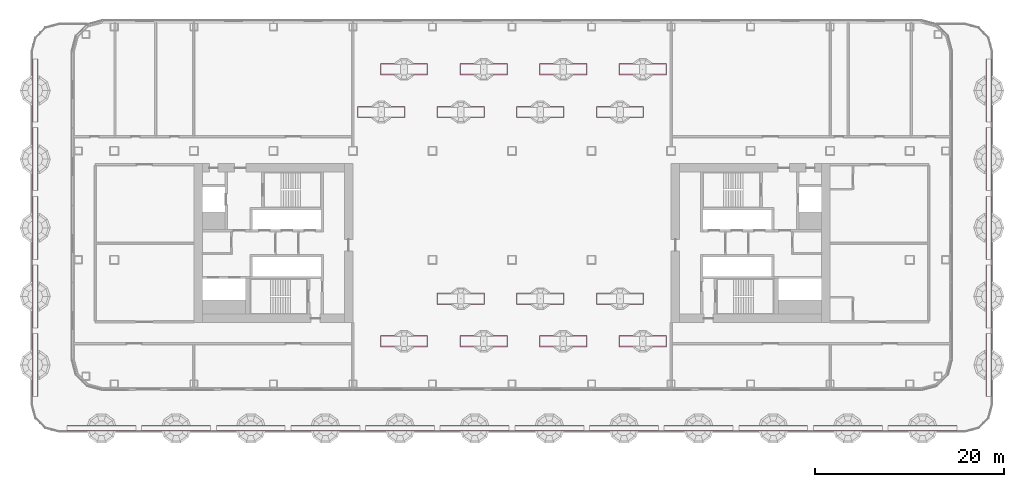
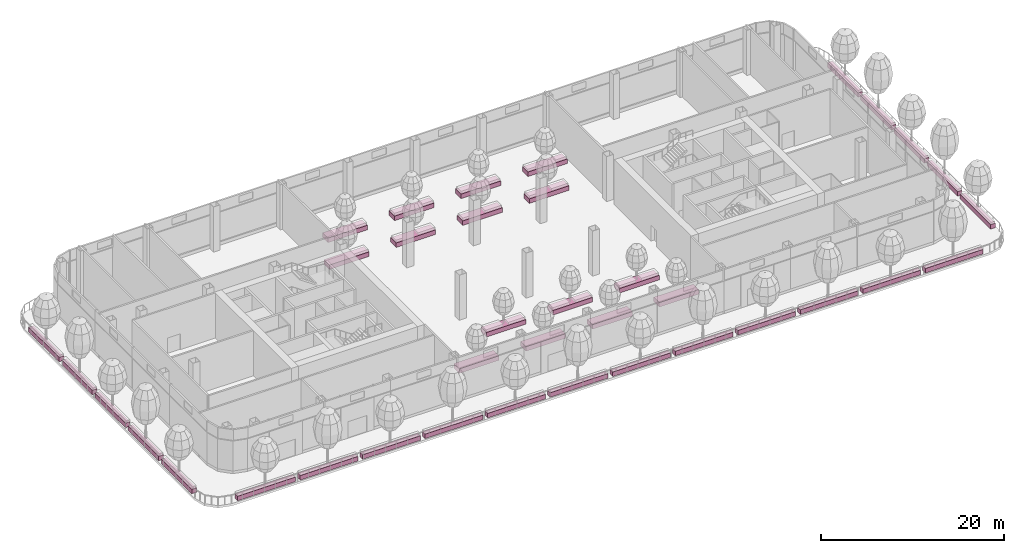
# One storey, part 36 of 44: 37 furniture elements.
"""IFC4 building model written with IfcOpenShell, lengths in metres."""

from ifc_helpers import new_model, si_unit, direction, frame, origin, origin_2d, place, context, subcontext, project, spatial, rectangle, extrude, material, type_object, element, save


model = new_model("IFC4")

# Units and contexts
model_context = context("Model", 3, precision=1e-05, world=origin(), true_north=direction((0.0, 1.0)))
body_context = subcontext(model_context, "Body", "Model", "MODEL_VIEW")
ifc_project = project(units=[si_unit("LENGTHUNIT", "METRE"), si_unit("AREAUNIT", "SQUARE_METRE"), si_unit("VOLUMEUNIT", "CUBIC_METRE"), si_unit("PLANEANGLEUNIT", "RADIAN"), si_unit("MASSUNIT", "GRAM", prefix="KILO")], contexts=[model_context])

# Site, building, storey
site_placement = place(None, origin())
site = spatial("IfcSite", under=ifc_project, at=site_placement, CompositionType="ELEMENT")
building_placement = place(site_placement, origin())
building = spatial("IfcBuilding", under=site, at=building_placement, Name="Hakoniwa Tower and Hamabe Station Hall", CompositionType="ELEMENT")
storey_placement = place(building_placement, frame((0.0, 0.0, 69.0)))
storey = spatial("IfcBuildingStorey", under=building, at=storey_placement, Name="L19", CompositionType="ELEMENT", Elevation=69.0)

# Furniture
ifc_material_1 = material(Name="Aluminium 6063-T5 black anodised trough with lightweight soil", Category="aluminium")
furniture_type_1 = type_object("IfcFurnitureType", Name="Planter 1200x600", AssemblyPlace="SITE", PredefinedType="USERDEFINED", material=ifc_material_1)
for number, where, z_axis, x_axis, name in (
    (1, (-13.800048828125, 13.85009765625, 0.0), (0.0, 0.0, 1.0), (1.0, 0.0, 0.0), "Planter 1200x600"),
    (2, (-5.39990234375, 13.85009765625, 0.0), (0.0, 0.0, 1.0), (1.0, 0.0, 0.0), "Planter 1200x600"),
    (3, (3.0, 13.85009765625, 0.0), (0.0, 0.0, 1.0), (1.0, 0.0, 0.0), "Planter 1200x600"),
    (4, (11.39990234375, 13.85009765625, 0.0), (0.0, 0.0, 1.0), (1.0, 0.0, 0.0), "Planter 1200x600"),
    (5, (-11.39990234375, 18.35009765625, 0.0), (0.0, 0.0, 1.0), (1.0, 0.0, 0.0), "Planter 1200x600"),
    (6, (-3.0, 18.35009765625, 0.0), (0.0, 0.0, 1.0), (1.0, 0.0, 0.0), "Planter 1200x600"),
    (7, (5.39990234375, 18.35009765625, 0.0), (0.0, 0.0, 1.0), (1.0, 0.0, 0.0), "Planter 1200x600"),
    (8, (13.800048828125, 18.35009765625, 0.0), (0.0, 0.0, 1.0), (1.0, 0.0, 0.0), "Planter 1200x600"),
    (9, (-5.39990234375, -5.85009765625, 0.0), (0.0, 0.0, 1.0), (1.0, 0.0, 0.0), "Planter 1200x600"),
    (10, (3.0, -5.85009765625, 0.0), (0.0, 0.0, 1.0), (1.0, 0.0, 0.0), "Planter 1200x600"),
    (11, (11.39990234375, -5.85009765625, 0.0), (0.0, 0.0, 1.0), (1.0, 0.0, 0.0), "Planter 1200x600"),
    (12, (-11.39990234375, -10.35009765625, 0.0), (0.0, 0.0, 1.0), (1.0, 0.0, 0.0), "Planter 1200x600"),
    (13, (-3.0, -10.35009765625, 0.0), (0.0, 0.0, 1.0), (1.0, 0.0, 0.0), "Planter 1200x600"),
    (14, (5.39990234375, -10.35009765625, 0.0), (0.0, 0.0, 1.0), (1.0, 0.0, 0.0), "Planter 1200x600"),
    (15, (13.800048828125, -10.35009765625, 0.0), (0.0, 0.0, 1.0), (1.0, 0.0, 0.0), "Planter 1200x600"),
):
    element("IfcFurniture", number, at=place(storey_placement, frame(where, z_axis=z_axis, x_axis=x_axis)), inside=storey, type_object=furniture_type_1, Name=name, ObjectType="PLANTER", PredefinedType="USERDEFINED", context=body_context, shape_type="SweptSolid", body=[
        extrude(rectangle(XDim=5.0, YDim=1.199951171875, at=origin_2d()), origin(), (0.0, 0.0, 1.0), 0.60009765625),
    ])
ifc_material_2 = material(Name="Aluminium 6063-T5 black anodised trough with lightweight soil", Category="aluminium")
furniture_type_2 = type_object("IfcFurnitureType", Name="Planter 600x600", AssemblyPlace="SITE", PredefinedType="USERDEFINED", material=ifc_material_2)
for number, where, z_axis, x_axis, name in (
    (16, (-50.35107421875, 16.114501953125, 0.0), (0.0, 0.0, 1.0), (-4.07849e-07, -1.0, 0.0), "Planter 600x600"),
    (17, (-50.35107421875, 8.869873046875, 0.0), (0.0, 0.0, 1.0), (-4.07849e-07, -1.0, 0.0), "Planter 600x600"),
    (18, (-50.35107421875, 1.625, 0.0), (0.0, 0.0, 1.0), (-4.07849e-07, -1.0, 0.0), "Planter 600x600"),
    (19, (-50.35107421875, -5.61962890625, 0.0), (0.0, 0.0, 1.0), (-4.07849e-07, -1.0, 0.0), "Planter 600x600"),
    (20, (-50.35107421875, -12.864501953125, 0.0), (0.0, 0.0, 1.0), (-4.07849e-07, -1.0, 0.0), "Planter 600x600"),
):
    element("IfcFurniture", number, at=place(storey_placement, frame(where, z_axis=z_axis, x_axis=x_axis)), inside=storey, type_object=furniture_type_2, Name=name, ObjectType="PLANTER", PredefinedType="USERDEFINED", context=body_context, shape_type="SweptSolid", body=[
        extrude(rectangle(XDim=6.644775390625, YDim=0.60009765625, at=origin_2d()), origin(), (0.0, 0.0, 1.0), 0.60009765625),
    ])
for number, where, z_axis, x_axis, name in (
    (21, (-43.34619140625, -19.551025390625, 0.0), (0.0, 0.0, 1.0), (1.0, 0.0, 0.0), "Planter 600x600"),
    (22, (-35.465087890625, -19.551025390625, 0.0), (0.0, 0.0, 1.0), (1.0, 0.0, 0.0), "Planter 600x600"),
    (23, (-27.583984375, -19.551025390625, 0.0), (0.0, 0.0, 1.0), (1.0, 0.0, 0.0), "Planter 600x600"),
    (24, (-19.702880859375, -19.551025390625, 0.0), (0.0, 0.0, 1.0), (1.0, 0.0, 0.0), "Planter 600x600"),
    (25, (-11.82177734375, -19.551025390625, 0.0), (0.0, 0.0, 1.0), (1.0, 0.0, 0.0), "Planter 600x600"),
    (26, (-3.940673828125, -19.551025390625, 0.0), (0.0, 0.0, 1.0), (1.0, 0.0, 0.0), "Planter 600x600"),
    (27, (3.940673828125, -19.551025390625, 0.0), (0.0, 0.0, 1.0), (1.0, 0.0, 0.0), "Planter 600x600"),
    (28, (11.82177734375, -19.551025390625, 0.0), (0.0, 0.0, 1.0), (1.0, 0.0, 0.0), "Planter 600x600"),
    (29, (19.702880859375, -19.551025390625, 0.0), (0.0, 0.0, 1.0), (1.0, 0.0, 0.0), "Planter 600x600"),
    (30, (27.583984375, -19.551025390625, 0.0), (0.0, 0.0, 1.0), (1.0, 0.0, 0.0), "Planter 600x600"),
    (31, (35.465087890625, -19.551025390625, 0.0), (0.0, 0.0, 1.0), (1.0, 0.0, 0.0), "Planter 600x600"),
    (32, (43.34619140625, -19.551025390625, 0.0), (0.0, 0.0, 1.0), (1.0, 0.0, 0.0), "Planter 600x600"),
):
    element("IfcFurniture", number, at=place(storey_placement, frame(where, z_axis=z_axis, x_axis=x_axis)), inside=storey, type_object=furniture_type_2, Name=name, ObjectType="PLANTER", PredefinedType="USERDEFINED", context=body_context, shape_type="SweptSolid", body=[
        extrude(rectangle(XDim=7.28125, YDim=0.60009765625, at=origin_2d()), origin(), (0.0, 0.0, 1.0), 0.60009765625),
    ])
for number, where, z_axis, x_axis, name in (
    (33, (50.35107421875, -12.864501953125, 0.0), (0.0, 0.0, 1.0), (0.0, 1.0, 0.0), "Planter 600x600"),
    (34, (50.35107421875, -5.61962890625, 0.0), (0.0, 0.0, 1.0), (0.0, 1.0, 0.0), "Planter 600x600"),
    (35, (50.35107421875, 1.625, 0.0), (0.0, 0.0, 1.0), (0.0, 1.0, 0.0), "Planter 600x600"),
    (36, (50.35107421875, 8.86962890625, 0.0), (0.0, 0.0, 1.0), (0.0, 1.0, 0.0), "Planter 600x600"),
    (37, (50.35107421875, 16.114501953125, 0.0), (0.0, 0.0, 1.0), (0.0, 1.0, 0.0), "Planter 600x600"),
):
    element("IfcFurniture", number, at=place(storey_placement, frame(where, z_axis=z_axis, x_axis=x_axis)), inside=storey, type_object=furniture_type_2, Name=name, ObjectType="PLANTER", PredefinedType="USERDEFINED", context=body_context, shape_type="SweptSolid", body=[
        extrude(rectangle(XDim=6.644775390625, YDim=0.60009765625, at=origin_2d()), origin(), (0.0, 0.0, 1.0), 0.60009765625),
    ])

save(model, "model.ifc")
